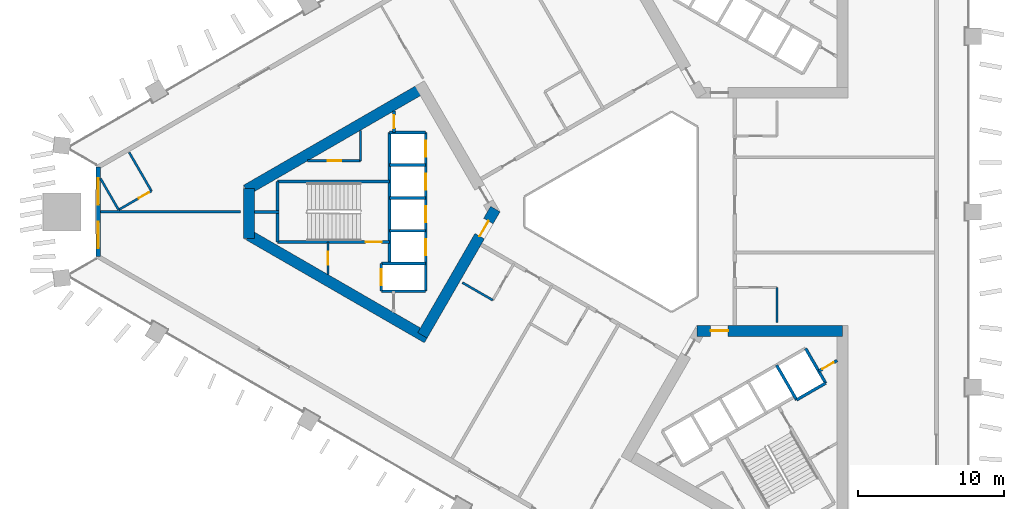
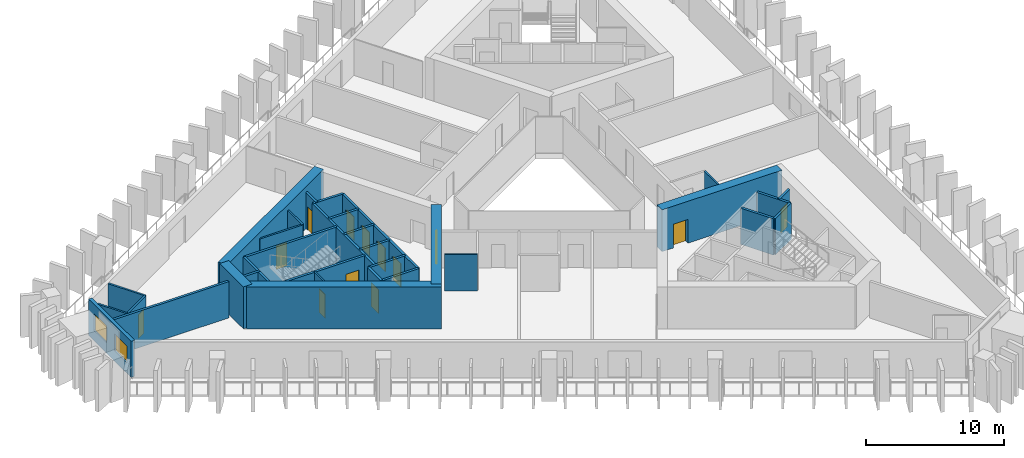
# One storey, part 3 of 10: 33 walls, 13 doors, 2 windows, 15 openings.
"""IFC4 building model written with IfcOpenShell, lengths in metres."""

from ifc_helpers import new_model, si_unit, direction, frame, frame_2d, origin, place, context, subcontext, project, spatial, rectangle, extrude, material, layer, layer_set, type_object, element, fill, save


model = new_model("IFC4")

# Units and contexts
model_context = context("Model", 3, precision=1e-05, world=origin(), true_north=direction((0.0, 1.0)))
body_context = subcontext(model_context, "Body", "Model", "MODEL_VIEW")
ifc_project = project(units=[si_unit("LENGTHUNIT", "METRE"), si_unit("AREAUNIT", "SQUARE_METRE"), si_unit("VOLUMEUNIT", "CUBIC_METRE"), si_unit("PLANEANGLEUNIT", "RADIAN"), si_unit("MASSUNIT", "GRAM", prefix="KILO")], contexts=[model_context])

# Site, building, storey
site_placement = place(None, origin())
site = spatial("IfcSite", under=ifc_project, at=site_placement, CompositionType="ELEMENT")
building_placement = place(site_placement, origin())
building = spatial("IfcBuilding", under=site, at=building_placement, Name="Jabali Bay Hotel Tower and Convention Centre", CompositionType="ELEMENT")
storey_placement = place(building_placement, frame((0.0, 0.0, 57.300048828125)))
storey = spatial("IfcBuildingStorey", under=building, at=storey_placement, Name="L12", CompositionType="ELEMENT", Elevation=57.300048828125)

# Wall
ifc_material_1 = material(Name="Concrete C40", Category="concrete")
ifc_layer_1 = layer(ifc_material_1, 0.199951171875)
ifc_layer_set_1 = layer_set([ifc_layer_1], Name="Concrete C40")
wall_type_1 = type_object("IfcWallType", Name="Core partition wall 200", PredefinedType="PARTITIONING", material=ifc_layer_set_1)
wall_1_placement = place(storey_placement, frame((50.820068359375, 80.0, 0.0), z_axis=(0.0, 0.0, 1.0), x_axis=(-1.0, 0.0, 0.0)))
element("IfcWall", 1, at=wall_1_placement, inside=storey, type_object=wall_type_1, Name="Core wall 0.5 L12", PredefinedType="PARTITIONING", context=body_context, shape_type="SweptSolid", body=[
    extrude(rectangle(XDim=1.673095703125, YDim=0.199951171875, at=frame_2d((0.83642578125, 0.0))), origin(), (0.0, 0.0, 1.0), 3.199951171875),
])

# Wall, opening, door
wall_2_placement = place(storey_placement, frame((58.719970703125, 86.916748046875, 0.0), z_axis=(0.0, 0.0, 1.0), x_axis=(0.0, -1.0, 0.0)))
wall_2 = element("IfcWall", 2, at=wall_2_placement, inside=storey, type_object=wall_type_1, Name="Core wall 0.11 L12", PredefinedType="PARTITIONING", context=body_context, shape_type="SweptSolid", body=[
    extrude(rectangle(XDim=1.466796875, YDim=0.199951171875, at=frame_2d((0.7333984375, 0.0))), origin(), (0.0, 0.0, 1.0), 3.199951171875),
])
opening_1_placement = place(wall_2_placement, frame((0.283447265625, 0.0, 0.0)))
opening_1 = element("IfcOpeningElement", 3, at=opening_1_placement, cuts=wall_2, Name="Opening D328", PredefinedType="OPENING", context=body_context, shape_type="SweptSolid", body=[
    extrude(rectangle(XDim=0.89990234375, YDim=2.10009765625, at=frame_2d((0.449951171875, 1.050048828125))), frame((0.0, 0.1103515625, 0.0), z_axis=(0.0, -1.0, 0.0), x_axis=(1.0, 0.0, 0.0)), (0.0, 0.0, 1.0), 0.220947265625),
])
ifc_material_2 = material(Name="Fire-rated steel door", Category="steel")
door_type_1 = type_object("IfcDoorType", Name="Vestibule fire door 900 x 2100", OperationType="NOTDEFINED", PredefinedType="NOTDEFINED", material=ifc_material_2)
door_1_placement = place(opening_1_placement, origin())
door_1 = element("IfcDoor", 4, at=door_1_placement, inside=storey, type_object=door_type_1, Name="Vestibule fire door D328", OperationType="SINGLE_SWING_LEFT", OverallHeight=2.10009765625, OverallWidth=0.89990234375, PredefinedType="NOTDEFINED", context=body_context, shape_type="SweptSolid", body=[
    extrude(rectangle(XDim=0.89990234375, YDim=2.10009765625, at=frame_2d((0.449951171875, 1.050048828125))), frame((0.0, 0.02490234375, 0.0), z_axis=(0.0, -1.0, 0.0), x_axis=(1.0, 0.0, 0.0)), (0.0, 0.0, 1.0), 0.050048828125),
])
fill(opening_1, door_1)

wall_3_placement = place(storey_placement, frame((87.86474609375, 69.067626953125, 0.0), z_axis=(0.0, 0.0, 1.0), x_axis=(0.865982457891, 0.500074377092, 0.0)))
wall_3 = element("IfcWall", 5, at=wall_3_placement, inside=storey, type_object=wall_type_1, Name="Core wall 2.12 L12", PredefinedType="PARTITIONING", context=body_context, shape_type="SweptSolid", body=[
    extrude(rectangle(XDim=1.461181640625, YDim=0.199951171875, at=frame_2d((0.73046875, 0.0))), origin(), (0.0, 0.0, 1.0), 3.199951171875),
])
opening_2_placement = place(wall_3_placement, frame((0.280517578125, 0.0, 0.0)))
opening_2 = element("IfcOpeningElement", 6, at=opening_2_placement, cuts=wall_3, Name="Opening D341", PredefinedType="OPENING", context=body_context, shape_type="SweptSolid", body=[
    extrude(rectangle(XDim=0.89990234375, YDim=2.10009765625, at=frame_2d((0.449951171875, 1.050048828125))), frame((0.0, 0.1103515625, 0.0), z_axis=(0.0, -1.0, 0.0), x_axis=(1.0, 0.0, 0.0)), (0.0, 0.0, 1.0), 0.220947265625),
])
door_2_placement = place(opening_2_placement, origin())
door_2 = element("IfcDoor", 7, at=door_2_placement, inside=storey, type_object=door_type_1, Name="Vestibule fire door D341", OperationType="SINGLE_SWING_LEFT", OverallHeight=2.10009765625, OverallWidth=0.89990234375, PredefinedType="NOTDEFINED", context=body_context, shape_type="SweptSolid", body=[
    extrude(rectangle(XDim=0.89990234375, YDim=2.10009765625, at=frame_2d((0.449951171875, 1.050048828125))), frame((0.0, 0.02490234375, 0.0), z_axis=(0.0, -1.0, 0.0), x_axis=(1.0, 0.0, 0.0)), (0.0, 0.0, 1.0), 0.050048828125),
])
fill(opening_2, door_2)

ifc_material_3 = material(Name="Fire-rated board partition")
ifc_layer_2 = layer(ifc_material_3, 0.14990234375)
ifc_layer_set_2 = layer_set([ifc_layer_2], Name="Fire-rated board partition")
wall_type_2 = type_object("IfcWallType", Name="Core room partition 150", PredefinedType="PARTITIONING", material=ifc_layer_set_2)
wall_4_placement = place(storey_placement, frame((56.419921875, 83.5, 0.0), z_axis=(0.0, 0.0, 1.0), x_axis=(-1.0, 0.0, 0.0)))
wall_4 = element("IfcWall", 8, at=wall_4_placement, inside=storey, type_object=wall_type_2, Name="Core wall 0.1 L12", PredefinedType="PARTITIONING", context=body_context, shape_type="SweptSolid", body=[
    extrude(rectangle(XDim=3.61767578125, YDim=0.14990234375, at=frame_2d((1.808837890625, 0.0))), origin(), (0.0, 0.0, 1.0), 3.199951171875),
])
opening_3_placement = place(wall_4_placement, frame((1.33154296875, 0.0, 0.0)))
opening_3 = element("IfcOpeningElement", 9, at=opening_3_placement, cuts=wall_4, Name="Opening D330", PredefinedType="OPENING", context=body_context, shape_type="SweptSolid", body=[
    extrude(rectangle(XDim=0.89990234375, YDim=2.10009765625, at=frame_2d((0.449951171875, 1.050048828125))), frame((0.0, 0.08544921875, 0.0), z_axis=(0.0, -1.0, 0.0), x_axis=(1.0, 0.0, 0.0)), (0.0, 0.0, 1.0), 0.1708984375),
])
door_type_2 = type_object("IfcDoorType", Name="Core room door 900 x 2100", OperationType="NOTDEFINED", PredefinedType="NOTDEFINED", material=ifc_material_2)
door_3_placement = place(opening_3_placement, origin())
door_3 = element("IfcDoor", 10, at=door_3_placement, inside=storey, type_object=door_type_2, Name="Core room door D330", OperationType="SINGLE_SWING_LEFT", OverallHeight=2.10009765625, OverallWidth=0.89990234375, PredefinedType="NOTDEFINED", context=body_context, shape_type="SweptSolid", body=[
    extrude(rectangle(XDim=0.89990234375, YDim=2.10009765625, at=frame_2d((0.449951171875, 1.050048828125))), frame((0.0, 0.02490234375, 0.0), z_axis=(0.0, -1.0, 0.0), x_axis=(1.0, 0.0, 0.0)), (0.0, 0.0, 1.0), 0.050048828125),
])
fill(opening_3, door_3)

# Wall
wall_5_placement = place(storey_placement, frame((56.419921875, 85.5888671875, 0.0), z_axis=(0.0, 0.0, 1.0), x_axis=(0.0, -1.0, 0.0)))
element("IfcWall", 11, at=wall_5_placement, inside=storey, type_object=wall_type_2, Name="Core wall 0.15 L12", PredefinedType="PARTITIONING", context=body_context, shape_type="SweptSolid", body=[
    extrude(rectangle(XDim=2.0888671875, YDim=0.14990234375, at=frame_2d((1.04443359375, 0.0))), origin(), (0.0, 0.0, 1.0), 3.199951171875),
])

# Wall, opening, door
wall_6_placement = place(storey_placement, frame((54.199951171875, 77.925048828125, 0.0), z_axis=(0.0, 0.0, 1.0), x_axis=(0.0, -1.0, 0.0)))
wall_6 = element("IfcWall", 12, at=wall_6_placement, inside=storey, type_object=wall_type_2, Name="Core wall 0.16 L12", PredefinedType="PARTITIONING", context=body_context, shape_type="SweptSolid", body=[
    extrude(rectangle(XDim=2.23193359375, YDim=0.14990234375, at=frame_2d((1.115966796875, 0.0))), origin(), (0.0, 0.0, 1.0), 3.199951171875),
])
opening_4_placement = place(wall_6_placement, frame((0.666015625, 0.0, 0.0)))
opening_4 = element("IfcOpeningElement", 13, at=opening_4_placement, cuts=wall_6, Name="Opening D326", PredefinedType="OPENING", context=body_context, shape_type="SweptSolid", body=[
    extrude(rectangle(XDim=0.89990234375, YDim=2.10009765625, at=frame_2d((0.449951171875, 1.050048828125))), frame((0.0, 0.08544921875, 0.0), z_axis=(0.0, -1.0, 0.0), x_axis=(1.0, 0.0, 0.0)), (0.0, 0.0, 1.0), 0.1708984375),
])
door_4_placement = place(opening_4_placement, origin())
door_4 = element("IfcDoor", 14, at=door_4_placement, inside=storey, type_object=door_type_2, Name="Core room door D326", OperationType="SINGLE_SWING_LEFT", OverallHeight=2.10009765625, OverallWidth=0.89990234375, PredefinedType="NOTDEFINED", context=body_context, shape_type="SweptSolid", body=[
    extrude(rectangle(XDim=0.89990234375, YDim=2.10009765625, at=frame_2d((0.449951171875, 1.050048828125))), frame((0.0, 0.02490234375, 0.0), z_axis=(0.0, -1.0, 0.0), x_axis=(1.0, 0.0, 0.0)), (0.0, 0.0, 1.0), 0.050048828125),
])
fill(opening_4, door_4)

# Walls
ifc_layer_3 = layer(ifc_material_1, 0.199951171875)
ifc_layer_set_3 = layer_set([ifc_layer_3], Name="Concrete C40")
wall_type_3 = type_object("IfcWallType", Name="Core stair wall 200", PredefinedType="SOLIDWALL", material=ifc_layer_set_3)
for number, where, z_axis, x_axis, name in (
    (15, (60.89990234375, 85.449951171875, 0.0), (0.0, 0.0, 1.0), (-1.0, 0.0, 0.0), "Core wall 0.0 L12"),
    (16, (60.89990234375, 83.199951171875, 0.0), (0.0, 0.0, 1.0), (-1.0, 0.0, 0.0), "Core wall 0.2 L12"),
):
    element("IfcWall", number, at=place(storey_placement, frame(where, z_axis=z_axis, x_axis=x_axis)), inside=storey, type_object=wall_type_3, Name=name, PredefinedType="SOLIDWALL", context=body_context, shape_type="SweptSolid", body=[
        extrude(rectangle(XDim=2.47998046875, YDim=0.199951171875, at=frame_2d((1.239990234375, 0.0))), origin(), (0.0, 0.0, 1.0), 3.199951171875),
    ])
wall_7_placement = place(storey_placement, frame((58.419921875, 82.074951171875, 0.0), z_axis=(0.0, 0.0, 1.0), x_axis=(-1.0, 0.0, 0.0)))
element("IfcWall", 17, at=wall_7_placement, inside=storey, type_object=wall_type_3, Name="Core wall 0.3 L12", PredefinedType="SOLIDWALL", context=body_context, shape_type="SweptSolid", body=[
    extrude(rectangle(XDim=7.699951171875, YDim=0.199951171875, at=frame_2d((3.85009765625, 0.0))), origin(), (0.0, 0.0, 1.0), 3.199951171875),
])
for number, where, z_axis, x_axis, name in (
    (18, (60.89990234375, 80.949951171875, 0.0), (0.0, 0.0, 1.0), (-1.0, 0.0, 0.0), "Core wall 0.4 L12"),
    (19, (60.89990234375, 78.699951171875, 0.0), (0.0, 0.0, 1.0), (-1.0, 0.0, 0.0), "Core wall 0.6 L12"),
):
    element("IfcWall", number, at=place(storey_placement, frame(where, z_axis=z_axis, x_axis=x_axis)), inside=storey, type_object=wall_type_3, Name=name, PredefinedType="SOLIDWALL", context=body_context, shape_type="SweptSolid", body=[
        extrude(rectangle(XDim=2.47998046875, YDim=0.199951171875, at=frame_2d((1.239990234375, 0.0))), origin(), (0.0, 0.0, 1.0), 3.199951171875),
    ])

# Wall, opening, door
wall_8_placement = place(storey_placement, frame((58.419921875, 77.925048828125, 0.0), z_axis=(0.0, 0.0, 1.0), x_axis=(-1.0, 0.0, 0.0)))
wall_8 = element("IfcWall", 20, at=wall_8_placement, inside=storey, type_object=wall_type_3, Name="Core wall 0.7 L12", PredefinedType="SOLIDWALL", context=body_context, shape_type="SweptSolid", body=[
    extrude(rectangle(XDim=7.699951171875, YDim=0.199951171875, at=frame_2d((3.85009765625, 0.0))), origin(), (0.0, 0.0, 1.0), 3.199951171875),
])
opening_5_placement = place(wall_8_placement, frame((0.550048828125, 0.0, 0.0)))
opening_5 = element("IfcOpeningElement", 21, at=opening_5_placement, cuts=wall_8, Name="Opening D329", PredefinedType="OPENING", context=body_context, shape_type="SweptSolid", body=[
    extrude(rectangle(XDim=1.10009765625, YDim=2.10009765625, at=frame_2d((0.550048828125, 1.050048828125))), frame((0.0, 0.1103515625, 0.0), z_axis=(0.0, -1.0, 0.0), x_axis=(1.0, 0.0, 0.0)), (0.0, 0.0, 1.0), 0.220947265625),
])
door_type_3 = type_object("IfcDoorType", Name="Stair fire door 1100 x 2100", OperationType="NOTDEFINED", PredefinedType="NOTDEFINED", material=ifc_material_2)
door_5_placement = place(opening_5_placement, origin())
door_5 = element("IfcDoor", 22, at=door_5_placement, inside=storey, type_object=door_type_3, Name="Stair fire door D329", OperationType="SINGLE_SWING_RIGHT", OverallHeight=2.10009765625, OverallWidth=1.10009765625, PredefinedType="NOTDEFINED", context=body_context, shape_type="SweptSolid", body=[
    extrude(rectangle(XDim=1.10009765625, YDim=2.10009765625, at=frame_2d((0.550048828125, 1.050048828125))), frame((0.0, 0.02490234375, 0.0), z_axis=(0.0, -1.0, 0.0), x_axis=(1.0, 0.0, 0.0)), (0.0, 0.0, 1.0), 0.050048828125),
])
fill(opening_5, door_5)

# Walls
for number, where, z_axis, x_axis, name in (
    (23, (60.89990234375, 76.449951171875, 0.0), (0.0, 0.0, 1.0), (-1.0, 0.0, 0.0), "Core wall 0.8 L12"),
    (24, (60.89990234375, 74.550048828125, 0.0), (0.0, 0.0, 1.0), (-1.0, 0.0, 0.0), "Core wall 0.9 L12"),
):
    element("IfcWall", number, at=place(storey_placement, frame(where, z_axis=z_axis, x_axis=x_axis)), inside=storey, type_object=wall_type_3, Name=name, PredefinedType="SOLIDWALL", context=body_context, shape_type="SweptSolid", body=[
        extrude(rectangle(XDim=3.0498046875, YDim=0.199951171875, at=frame_2d((1.52490234375, 0.0))), origin(), (0.0, 0.0, 1.0), 3.199951171875),
    ])

# Wall, openings, doors
wall_9_placement = place(storey_placement, frame((60.89990234375, 85.449951171875, 0.0), z_axis=(0.0, 0.0, 1.0), x_axis=(0.0, -1.0, 0.0)))
wall_9 = element("IfcWall", 25, at=wall_9_placement, inside=storey, type_object=wall_type_3, Name="Core wall 0.10 L12", PredefinedType="SOLIDWALL", context=body_context, shape_type="SweptSolid", body=[
    extrude(rectangle(XDim=10.89990234375, YDim=0.199951171875, at=frame_2d((5.449951171875, 0.0))), origin(), (0.0, 0.0, 1.0), 3.199951171875),
])
opening_6_placement = place(wall_9_placement, frame((0.574951171875, 0.0, 0.0)))
opening_6 = element("IfcOpeningElement", 26, at=opening_6_placement, cuts=wall_9, Name="Opening LD1-L12", PredefinedType="OPENING", context=body_context, shape_type="SweptSolid", body=[
    extrude(rectangle(XDim=1.10009765625, YDim=2.10009765625, at=frame_2d((0.550048828125, 1.050048828125))), frame((0.0, 0.1103515625, 0.0), z_axis=(0.0, -1.0, 0.0), x_axis=(1.0, 0.0, 0.0)), (0.0, 0.0, 1.0), 0.220947265625),
])
opening_7_placement = place(wall_9_placement, frame((2.824951171875, 0.0, 0.0)))
opening_7 = element("IfcOpeningElement", 27, at=opening_7_placement, cuts=wall_9, Name="Opening LD2-L12", PredefinedType="OPENING", context=body_context, shape_type="SweptSolid", body=[
    extrude(rectangle(XDim=1.10009765625, YDim=2.10009765625, at=frame_2d((0.550048828125, 1.050048828125))), frame((0.0, 0.1103515625, 0.0), z_axis=(0.0, -1.0, 0.0), x_axis=(1.0, 0.0, 0.0)), (0.0, 0.0, 1.0), 0.220947265625),
])
opening_8_placement = place(wall_9_placement, frame((5.074951171875, 0.0, 0.0)))
opening_8 = element("IfcOpeningElement", 28, at=opening_8_placement, cuts=wall_9, Name="Opening LD3-L12", PredefinedType="OPENING", context=body_context, shape_type="SweptSolid", body=[
    extrude(rectangle(XDim=1.10009765625, YDim=2.10009765625, at=frame_2d((0.550048828125, 1.050048828125))), frame((0.0, 0.1103515625, 0.0), z_axis=(0.0, -1.0, 0.0), x_axis=(1.0, 0.0, 0.0)), (0.0, 0.0, 1.0), 0.220947265625),
])
opening_9_placement = place(wall_9_placement, frame((7.324951171875, 0.0, 0.0)))
opening_9 = element("IfcOpeningElement", 29, at=opening_9_placement, cuts=wall_9, Name="Opening LD4-L12", PredefinedType="OPENING", context=body_context, shape_type="SweptSolid", body=[
    extrude(rectangle(XDim=1.10009765625, YDim=2.10009765625, at=frame_2d((0.550048828125, 1.050048828125))), frame((0.0, 0.1103515625, 0.0), z_axis=(0.0, -1.0, 0.0), x_axis=(1.0, 0.0, 0.0)), (0.0, 0.0, 1.0), 0.220947265625),
])
ifc_material_4 = material(Name="Stainless steel landing door", Category="steel")
door_type_4 = type_object("IfcDoorType", Name="Landing door 1100 x 2100", OperationType="NOTDEFINED", PredefinedType="NOTDEFINED", material=ifc_material_4)
door_6_placement = place(opening_6_placement, origin())
door_6 = element("IfcDoor", 30, at=door_6_placement, inside=storey, type_object=door_type_4, Name="Landing doors LD1-L12", OperationType="SLIDING_TO_RIGHT", OverallHeight=2.10009765625, OverallWidth=1.10009765625, PredefinedType="NOTDEFINED", context=body_context, shape_type="SweptSolid", body=[
    extrude(rectangle(XDim=1.10009765625, YDim=2.10009765625, at=frame_2d((0.550048828125, 1.050048828125))), frame((0.0, 0.02490234375, 0.0), z_axis=(0.0, -1.0, 0.0), x_axis=(1.0, 0.0, 0.0)), (0.0, 0.0, 1.0), 0.050048828125),
])
fill(opening_6, door_6)
door_7_placement = place(opening_7_placement, origin())
door_7 = element("IfcDoor", 31, at=door_7_placement, inside=storey, type_object=door_type_4, Name="Landing doors LD2-L12", OperationType="SLIDING_TO_LEFT", OverallHeight=2.10009765625, OverallWidth=1.10009765625, PredefinedType="NOTDEFINED", context=body_context, shape_type="SweptSolid", body=[
    extrude(rectangle(XDim=1.10009765625, YDim=2.10009765625, at=frame_2d((0.550048828125, 1.050048828125))), frame((0.0, 0.02490234375, 0.0), z_axis=(0.0, -1.0, 0.0), x_axis=(1.0, 0.0, 0.0)), (0.0, 0.0, 1.0), 0.050048828125),
])
fill(opening_7, door_7)
door_8_placement = place(opening_8_placement, origin())
door_8 = element("IfcDoor", 32, at=door_8_placement, inside=storey, type_object=door_type_4, Name="Landing doors LD3-L12", OperationType="SLIDING_TO_RIGHT", OverallHeight=2.10009765625, OverallWidth=1.10009765625, PredefinedType="NOTDEFINED", context=body_context, shape_type="SweptSolid", body=[
    extrude(rectangle(XDim=1.10009765625, YDim=2.10009765625, at=frame_2d((0.550048828125, 1.050048828125))), frame((0.0, 0.02490234375, 0.0), z_axis=(0.0, -1.0, 0.0), x_axis=(1.0, 0.0, 0.0)), (0.0, 0.0, 1.0), 0.050048828125),
])
fill(opening_8, door_8)
door_9_placement = place(opening_9_placement, origin())
door_9 = element("IfcDoor", 33, at=door_9_placement, inside=storey, type_object=door_type_4, Name="Landing doors LD4-L12", OperationType="SLIDING_TO_LEFT", OverallHeight=2.10009765625, OverallWidth=1.10009765625, PredefinedType="NOTDEFINED", context=body_context, shape_type="SweptSolid", body=[
    extrude(rectangle(XDim=1.10009765625, YDim=2.10009765625, at=frame_2d((0.550048828125, 1.050048828125))), frame((0.0, 0.02490234375, 0.0), z_axis=(0.0, -1.0, 0.0), x_axis=(1.0, 0.0, 0.0)), (0.0, 0.0, 1.0), 0.050048828125),
])
fill(opening_9, door_9)

# Wall
wall_10_placement = place(storey_placement, frame((58.419921875, 85.449951171875, 0.0), z_axis=(0.0, 0.0, 1.0), x_axis=(0.0, -1.0, 0.0)))
element("IfcWall", 34, at=wall_10_placement, inside=storey, type_object=wall_type_3, Name="Core wall 0.13 L12", PredefinedType="SOLIDWALL", context=body_context, shape_type="SweptSolid", body=[
    extrude(rectangle(XDim=9.0, YDim=0.199951171875, at=frame_2d((4.5, 0.0))), origin(), (0.0, 0.0, 1.0), 3.199951171875),
])

# Wall, opening, door
wall_11_placement = place(storey_placement, frame((57.85009765625, 76.449951171875, 0.0), z_axis=(0.0, 0.0, 1.0), x_axis=(0.0, -1.0, 0.0)))
wall_11 = element("IfcWall", 35, at=wall_11_placement, inside=storey, type_object=wall_type_3, Name="Core wall 0.14 L12", PredefinedType="SOLIDWALL", context=body_context, shape_type="SweptSolid", body=[
    extrude(rectangle(XDim=1.89990234375, YDim=0.199951171875, at=frame_2d((0.949951171875, 0.0))), origin(), (0.0, 0.0, 1.0), 3.199951171875),
])
opening_10_placement = place(wall_11_placement, frame((0.39990234375, 0.0, 0.0)))
opening_10 = element("IfcOpeningElement", 36, at=opening_10_placement, cuts=wall_11, Name="Opening LD5-L12", PredefinedType="OPENING", context=body_context, shape_type="SweptSolid", body=[
    extrude(rectangle(XDim=1.10009765625, YDim=2.10009765625, at=frame_2d((0.550048828125, 1.050048828125))), frame((0.0, 0.1103515625, 0.0), z_axis=(0.0, -1.0, 0.0), x_axis=(1.0, 0.0, 0.0)), (0.0, 0.0, 1.0), 0.220947265625),
])
door_10_placement = place(opening_10_placement, origin())
door_10 = element("IfcDoor", 37, at=door_10_placement, inside=storey, type_object=door_type_4, Name="Landing doors LD5-L12", OperationType="SLIDING_TO_RIGHT", OverallHeight=2.10009765625, OverallWidth=1.10009765625, PredefinedType="NOTDEFINED", context=body_context, shape_type="SweptSolid", body=[
    extrude(rectangle(XDim=1.10009765625, YDim=2.10009765625, at=frame_2d((0.550048828125, 1.050048828125))), frame((0.0, 0.02490234375, 0.0), z_axis=(0.0, -1.0, 0.0), x_axis=(1.0, 0.0, 0.0)), (0.0, 0.0, 1.0), 0.050048828125),
])
fill(opening_10, door_10)

# Walls
wall_12_placement = place(storey_placement, frame((50.719970703125, 82.074951171875, 0.0), z_axis=(0.0, 0.0, 1.0), x_axis=(0.0, -1.0, 0.0)))
element("IfcWall", 38, at=wall_12_placement, inside=storey, type_object=wall_type_3, Name="Core wall 0.17 L12", PredefinedType="SOLIDWALL", context=body_context, shape_type="SweptSolid", body=[
    extrude(rectangle(XDim=4.14990234375, YDim=0.199951171875, at=frame_2d((2.074951171875, 0.0))), origin(), (0.0, 0.0, 1.0), 3.199951171875),
])
for number, where, z_axis, x_axis, name in (
    (39, (84.972900390625, 69.4765625, 0.0), (0.0, 0.0, 1.0), (0.499996545922, -0.866027397988, 0.0), "Core wall 2.8 L12"),
    (40, (86.964599609375, 70.62646484375, 0.0), (0.0, 0.0, 1.0), (0.499996545922, -0.866027397988, 0.0), "Core wall 2.9 L12"),
):
    element("IfcWall", number, at=place(storey_placement, frame(where, z_axis=z_axis, x_axis=x_axis)), inside=storey, type_object=wall_type_3, Name=name, PredefinedType="SOLIDWALL", context=body_context, shape_type="SweptSolid", body=[
        extrude(rectangle(XDim=2.75, YDim=0.199951171875, at=frame_2d((1.375, 0.0))), origin(), (0.0, 0.0, 1.0), 3.199951171875),
    ])
wall_13_placement = place(storey_placement, frame((86.347900390625, 67.094970703125, 0.0), z_axis=(0.0, 0.0, 1.0), x_axis=(0.86602648383, 0.499998129301, 0.0)))
element("IfcWall", 41, at=wall_13_placement, inside=storey, type_object=wall_type_3, Name="Core wall 2.15 L12", PredefinedType="SOLIDWALL", context=body_context, shape_type="SweptSolid", body=[
    extrude(rectangle(XDim=2.2998046875, YDim=0.199951171875, at=frame_2d((1.14990234375, 0.0))), origin(), (0.0, 0.0, 1.0), 3.199951171875),
])
ifc_material_5 = material(Name="Concrete C60", Category="concrete")
ifc_layer_4 = layer(ifc_material_5, 0.75)
ifc_layer_set_4 = layer_set([ifc_layer_4], Name="Concrete C60")
wall_type_4 = type_object("IfcWallType", Name="Core wall 750", PredefinedType="SHEAR", material=ifc_layer_set_4)
wall_14_placement = place(storey_placement, frame((60.6728515625, 88.47705078125, 0.0), z_axis=(0.0, 0.0, 1.0), x_axis=(-0.8660248072, -0.500001033313, 0.0)))
element("IfcWall", 42, at=wall_14_placement, inside=storey, type_object=wall_type_4, Name="Core wall 1.2 L12", PredefinedType="SHEAR", context=body_context, shape_type="SweptSolid", body=[
    extrude(rectangle(XDim=13.95849609375, YDim=0.75, at=frame_2d((6.979248046875, 0.0))), origin(), (0.0, 0.0, 1.0), 3.699951171875),
])
wall_15_placement = place(storey_placement, frame((48.77197265625, 81.606201171875, 0.0), z_axis=(0.0, 0.0, 1.0), x_axis=(0.0, -1.0, 0.0)))
element("IfcWall", 43, at=wall_15_placement, inside=storey, type_object=wall_type_4, Name="Core wall 1.3 L12", PredefinedType="SHEAR", context=body_context, shape_type="SweptSolid", body=[
    extrude(rectangle(XDim=3.428955078125, YDim=0.75, at=frame_2d((1.71435546875, 0.0))), origin(), (0.0, 0.0, 1.0), 3.699951171875),
])
wall_16_placement = place(storey_placement, frame((48.77197265625, 78.393798828125, 0.0), z_axis=(0.0, 0.0, 1.0), x_axis=(0.866028339916, -0.499994914436, 0.0)))
element("IfcWall", 44, at=wall_16_placement, inside=storey, type_object=wall_type_4, Name="Core wall 1.4 L12", PredefinedType="SHEAR", context=body_context, shape_type="SweptSolid", body=[
    extrude(rectangle(XDim=14.116943359375, YDim=0.75, at=frame_2d((7.05859375, 0.0))), origin(), (0.0, 0.0, 1.0), 3.699951171875),
])

# Wall, opening, door
wall_17_placement = place(storey_placement, frame((60.6728515625, 71.52294921875, 0.0), z_axis=(0.0, 0.0, 1.0), x_axis=(0.499997052475, 0.866027105532, 0.0)))
wall_17 = element("IfcWall", 45, at=wall_17_placement, inside=storey, type_object=wall_type_4, Name="Core wall 1.5 L12", PredefinedType="SHEAR", context=body_context, shape_type="SweptSolid", body=[
    extrude(rectangle(XDim=10.0048828125, YDim=0.75, at=frame_2d((5.00244140625, 0.0))), origin(), (0.0, 0.0, 1.0), 3.699951171875),
])
opening_11_placement = place(wall_17_placement, frame((7.85498046875, 0.0, 0.0)))
opening_11 = element("IfcOpeningElement", 46, at=opening_11_placement, cuts=wall_17, Name="Opening D325", PredefinedType="OPENING", context=body_context, shape_type="SweptSolid", body=[
    extrude(rectangle(XDim=1.199951171875, YDim=2.10009765625, at=frame_2d((0.60009765625, 1.050048828125))), frame((0.0, 0.385498046875, 0.0), z_axis=(0.0, -1.0, 0.0), x_axis=(1.0, 0.0, 0.0)), (0.0, 0.0, 1.0), 0.77099609375),
])
door_type_5 = type_object("IfcDoorType", Name="Corridor end fire door 1200 x 2100", OperationType="NOTDEFINED", PredefinedType="NOTDEFINED", material=ifc_material_2)
door_11_placement = place(opening_11_placement, origin())
door_11 = element("IfcDoor", 47, at=door_11_placement, inside=storey, type_object=door_type_5, Name="Corridor end fire door D325", OperationType="SINGLE_SWING_LEFT", OverallHeight=2.10009765625, OverallWidth=1.199951171875, PredefinedType="NOTDEFINED", context=body_context, shape_type="SweptSolid", body=[
    extrude(rectangle(XDim=1.199951171875, YDim=2.10009765625, at=frame_2d((0.60009765625, 1.050048828125))), frame((0.0, 0.02490234375, 0.0), z_axis=(0.0, -1.0, 0.0), x_axis=(1.0, 0.0, 0.0)), (0.0, 0.0, 1.0), 0.050048828125),
])
fill(opening_11, door_11)

wall_18_placement = place(storey_placement, frame((89.5048828125, 71.830810546875, 0.0), z_axis=(0.0, 0.0, 1.0), x_axis=(-1.0, 0.0, 0.0)))
wall_18 = element("IfcWall", 48, at=wall_18_placement, inside=storey, type_object=wall_type_4, Name="Core wall 3.5 L12", PredefinedType="SHEAR", context=body_context, shape_type="SweptSolid", body=[
    extrude(rectangle(XDim=10.0048828125, YDim=0.75, at=frame_2d((5.00244140625, 0.0))), origin(), (0.0, 0.0, 1.0), 3.699951171875),
])
opening_12_placement = place(wall_18_placement, frame((7.85498046875, 0.0, 0.0)))
opening_12 = element("IfcOpeningElement", 49, at=opening_12_placement, cuts=wall_18, Name="Opening D339", PredefinedType="OPENING", context=body_context, shape_type="SweptSolid", body=[
    extrude(rectangle(XDim=1.199951171875, YDim=2.10009765625, at=frame_2d((0.60009765625, 1.050048828125))), frame((0.0, 0.385498046875, 0.0), z_axis=(0.0, -1.0, 0.0), x_axis=(1.0, 0.0, 0.0)), (0.0, 0.0, 1.0), 0.77099609375),
])
door_12_placement = place(opening_12_placement, origin())
door_12 = element("IfcDoor", 50, at=door_12_placement, inside=storey, type_object=door_type_5, Name="Corridor end fire door D339", OperationType="SINGLE_SWING_LEFT", OverallHeight=2.10009765625, OverallWidth=1.199951171875, PredefinedType="NOTDEFINED", context=body_context, shape_type="SweptSolid", body=[
    extrude(rectangle(XDim=1.199951171875, YDim=2.10009765625, at=frame_2d((0.60009765625, 1.050048828125))), frame((0.0, 0.02490234375, 0.0), z_axis=(0.0, -1.0, 0.0), x_axis=(1.0, 0.0, 0.0)), (0.0, 0.0, 1.0), 0.050048828125),
])
fill(opening_12, door_12)

# Wall, openings, windows
ifc_layer_5 = layer(ifc_material_1, 0.300048828125)
ifc_layer_set_5 = layer_set([ifc_layer_5], Name="Concrete C40")
wall_type_5 = type_object("IfcWallType", Name="External wall 300", PredefinedType="SOLIDWALL", material=ifc_layer_set_5)
wall_19_placement = place(storey_placement, frame((38.44091796875, 76.917724609375, 0.0), z_axis=(0.0, 0.0, 1.0), x_axis=(0.0, 1.0, 0.0)))
wall_19 = element("IfcWall", 51, at=wall_19_placement, inside=storey, type_object=wall_type_5, Name="External wall west chamfer L12", PredefinedType="SOLIDWALL", context=body_context, shape_type="SweptSolid", body=[
    extrude(rectangle(XDim=6.16455078125, YDim=0.300048828125, at=frame_2d((3.082275390625, 0.0))), origin(), (0.0, 0.0, 1.0), 3.199951171875),
])
opening_13_placement = place(wall_19_placement, frame((3.57958984375, 0.0, 0.89990234375)))
opening_13 = element("IfcOpeningElement", 52, at=opening_13_placement, cuts=wall_19, Name="Opening W1", PredefinedType="OPENING", context=body_context, shape_type="SweptSolid", body=[
    extrude(rectangle(XDim=1.800048828125, YDim=1.5, at=frame_2d((0.89990234375, 0.75))), frame((0.0, 0.16064453125, 0.0), z_axis=(0.0, -1.0, 0.0), x_axis=(1.0, 0.0, 0.0)), (0.0, 0.0, 1.0), 0.321044921875),
])
opening_14_placement = place(wall_19_placement, frame((0.598388671875, 0.0, 0.89990234375)))
opening_14 = element("IfcOpeningElement", 53, at=opening_14_placement, cuts=wall_19, Name="Opening W1", PredefinedType="OPENING", context=body_context, shape_type="SweptSolid", body=[
    extrude(rectangle(XDim=1.800048828125, YDim=1.5, at=frame_2d((0.89990234375, 0.75))), frame((0.0, 0.16064453125, 0.0), z_axis=(0.0, -1.0, 0.0), x_axis=(1.0, 0.0, 0.0)), (0.0, 0.0, 1.0), 0.321044921875),
])
ifc_material_6 = material(Name="Glass", Category="glass")
window_type = type_object("IfcWindowType", Name="Window 1800 x 1500", PartitioningType="SINGLE_PANEL", PredefinedType="WINDOW", material=ifc_material_6)
window_1_placement = place(opening_13_placement, origin())
window_1 = element("IfcWindow", 54, at=window_1_placement, inside=storey, type_object=window_type, Name="Window 1205", OverallHeight=1.5, OverallWidth=1.800048828125, PartitioningType="SINGLE_PANEL", PredefinedType="WINDOW", context=body_context, shape_type="SweptSolid", body=[
    extrude(rectangle(XDim=1.800048828125, YDim=1.5, at=frame_2d((0.89990234375, 0.75))), frame((0.0, 0.030029296875, 0.0), z_axis=(0.0, -1.0, 0.0), x_axis=(1.0, 0.0, 0.0)), (0.0, 0.0, 1.0), 0.06005859375),
])
fill(opening_13, window_1)
window_2_placement = place(opening_14_placement, origin())
window_2 = element("IfcWindow", 55, at=window_2_placement, inside=storey, type_object=window_type, Name="Window 1206", OverallHeight=1.5, OverallWidth=1.800048828125, PartitioningType="SINGLE_PANEL", PredefinedType="WINDOW", context=body_context, shape_type="SweptSolid", body=[
    extrude(rectangle(XDim=1.800048828125, YDim=1.5, at=frame_2d((0.89990234375, 0.75))), frame((0.0, 0.030029296875, 0.0), z_axis=(0.0, -1.0, 0.0), x_axis=(1.0, 0.0, 0.0)), (0.0, 0.0, 1.0), 0.06005859375),
])
fill(opening_14, window_2)

# Walls
ifc_material_7 = material(Name="Plasterboard on steel stud", Category="steel")
ifc_layer_6 = layer(ifc_material_7, 0.14990234375)
ifc_layer_set_6 = layer_set([ifc_layer_6], Name="Plasterboard on steel stud")
wall_type_6 = type_object("IfcWallType", Name="Partition 150 wet", PredefinedType="PARTITIONING", material=ifc_layer_set_6)
wall_20_placement = place(storey_placement, frame((85.0, 74.8056640625, 0.0), z_axis=(0.0, 0.0, 1.0), x_axis=(0.0, -1.0, 0.0)))
element("IfcWall", 56, at=wall_20_placement, inside=storey, type_object=wall_type_6, Name="Partition P03 L12 002", PredefinedType="PARTITIONING", context=body_context, shape_type="SweptSolid", body=[
    extrude(rectangle(XDim=2.40087890625, YDim=0.14990234375, at=frame_2d((1.200439453125, 0.0))), origin(), (0.0, 0.0, 1.0), 3.199951171875),
])
wall_21_placement = place(storey_placement, frame((40.550048828125, 84.08056640625, 0.0), z_axis=(0.0, 0.0, 1.0), x_axis=(0.499978218965, -0.866037978706, 0.0)))
element("IfcWall", 57, at=wall_21_placement, inside=storey, type_object=wall_type_6, Name="Partition P03 L12 018", PredefinedType="PARTITIONING", context=body_context, shape_type="SweptSolid", body=[
    extrude(rectangle(XDim=3.057373046875, YDim=0.14990234375, at=frame_2d((1.52880859375, 0.0))), origin(), (0.0, 0.0, 1.0), 3.199951171875),
])

# Wall, opening, door
wall_22_placement = place(storey_placement, frame((42.07861328125, 81.432861328125, 0.0), z_axis=(0.0, 0.0, 1.0), x_axis=(-0.865997922154, -0.500047596559, 0.0)))
wall_22 = element("IfcWall", 58, at=wall_22_placement, inside=storey, type_object=wall_type_6, Name="Partition P03 L12 019", PredefinedType="PARTITIONING", context=body_context, shape_type="SweptSolid", body=[
    extrude(rectangle(XDim=2.599853515625, YDim=0.14990234375, at=frame_2d((1.2998046875, 0.0))), origin(), (0.0, 0.0, 1.0), 3.199951171875),
])
opening_15_placement = place(wall_22_placement, frame((0.199951171875, 0.0, 0.0)))
opening_15 = element("IfcOpeningElement", 59, at=opening_15_placement, cuts=wall_22, Name="Opening 1213", PredefinedType="OPENING", context=body_context, shape_type="SweptSolid", body=[
    extrude(rectangle(XDim=0.800048828125, YDim=2.10009765625, at=frame_2d((0.39990234375, 1.050048828125))), frame((0.0, 0.08544921875, 0.0), z_axis=(0.0, -1.0, 0.0), x_axis=(1.0, 0.0, 0.0)), (0.0, 0.0, 1.0), 0.1708984375),
])
ifc_material_8 = material(Name="Timber", Category="wood")
door_type_6 = type_object("IfcDoorType", Name="En-suite door 800 x 2100", OperationType="NOTDEFINED", PredefinedType="NOTDEFINED", material=ifc_material_8)
door_13_placement = place(opening_15_placement, origin())
door_13 = element("IfcDoor", 60, at=door_13_placement, inside=storey, type_object=door_type_6, Name="Door 1213", OperationType="SINGLE_SWING_LEFT", OverallHeight=2.10009765625, OverallWidth=0.800048828125, PredefinedType="NOTDEFINED", context=body_context, shape_type="SweptSolid", body=[
    extrude(rectangle(XDim=0.800048828125, YDim=2.10009765625, at=frame_2d((0.39990234375, 1.050048828125))), frame((0.0, 0.02490234375, 0.0), z_axis=(0.0, -1.0, 0.0), x_axis=(1.0, 0.0, 0.0)), (0.0, 0.0, 1.0), 0.050048828125),
])
fill(opening_15, door_13)

# Walls
wall_23_placement = place(storey_placement, frame((39.8271484375, 80.1328125, 0.0), z_axis=(0.0, 0.0, 1.0), x_axis=(-0.500001430823, 0.866024577697, 0.0)))
element("IfcWall", 61, at=wall_23_placement, inside=storey, type_object=wall_type_6, Name="Partition P03 L12 020", PredefinedType="PARTITIONING", context=body_context, shape_type="SweptSolid", body=[
    extrude(rectangle(XDim=2.474609375, YDim=0.14990234375, at=frame_2d((1.2373046875, 0.0))), origin(), (0.0, 0.0, 1.0), 3.199951171875),
])
wall_24_placement = place(storey_placement, frame((65.501708984375, 73.936767578125, 0.0), z_axis=(0.0, 0.0, 1.0), x_axis=(-0.865994240961, 0.500053971709, 0.0)))
element("IfcWall", 62, at=wall_24_placement, inside=storey, type_object=wall_type_6, Name="Partition P03 L12 023", PredefinedType="PARTITIONING", context=body_context, shape_type="SweptSolid", body=[
    extrude(rectangle(XDim=2.401123046875, YDim=0.14990234375, at=frame_2d((1.20068359375, 0.0))), origin(), (0.0, 0.0, 1.0), 3.199951171875),
])
ifc_layer_7 = layer(ifc_material_7, 0.199951171875)
ifc_layer_set_7 = layer_set([ifc_layer_7], Name="Plasterboard on steel stud")
wall_type_7 = type_object("IfcWallType", Name="Partition 200 party", PredefinedType="PARTITIONING", material=ifc_layer_set_7)
wall_25_placement = place(storey_placement, frame((38.58984375, 80.0009765625, 0.0), z_axis=(0.0, 0.0, 1.0), x_axis=(1.0, 0.0, 0.0)))
element("IfcWall", 63, at=wall_25_placement, inside=storey, type_object=wall_type_7, Name="Partition P01 L12 021", PredefinedType="PARTITIONING", context=body_context, shape_type="SweptSolid", body=[
    extrude(rectangle(XDim=9.608154296875, YDim=0.199951171875, at=frame_2d((4.80419921875, 0.0))), origin(), (0.0, 0.0, 1.0), 3.199951171875),
])

save(model, "model.ifc")
